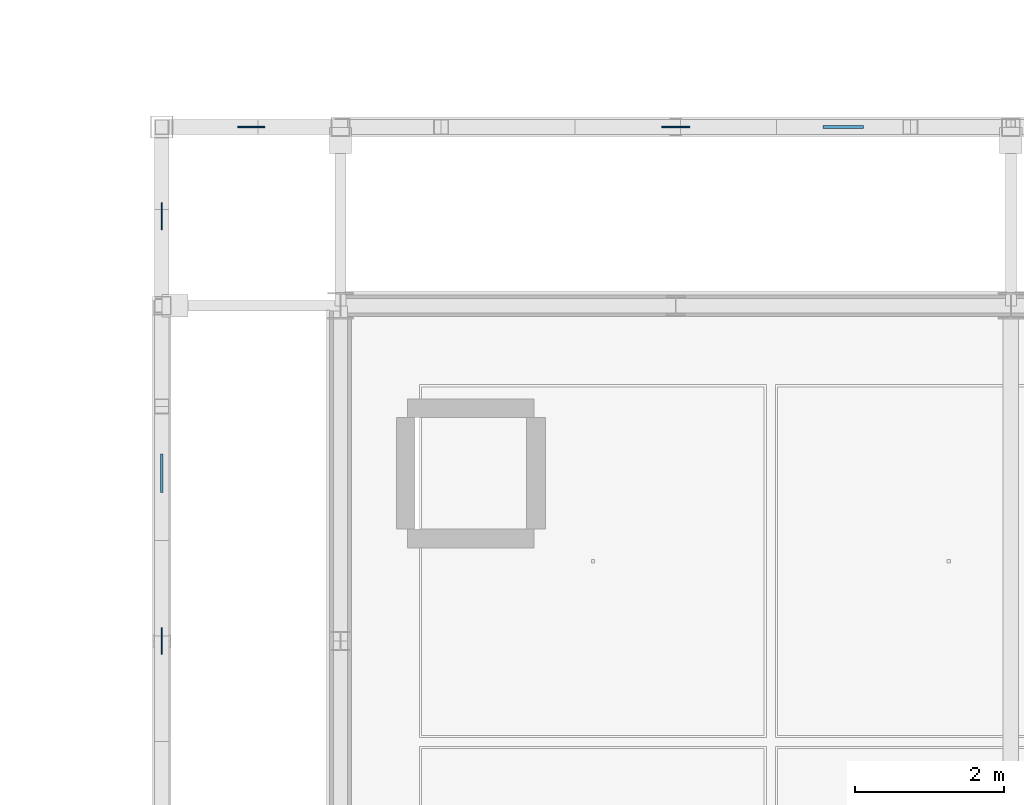
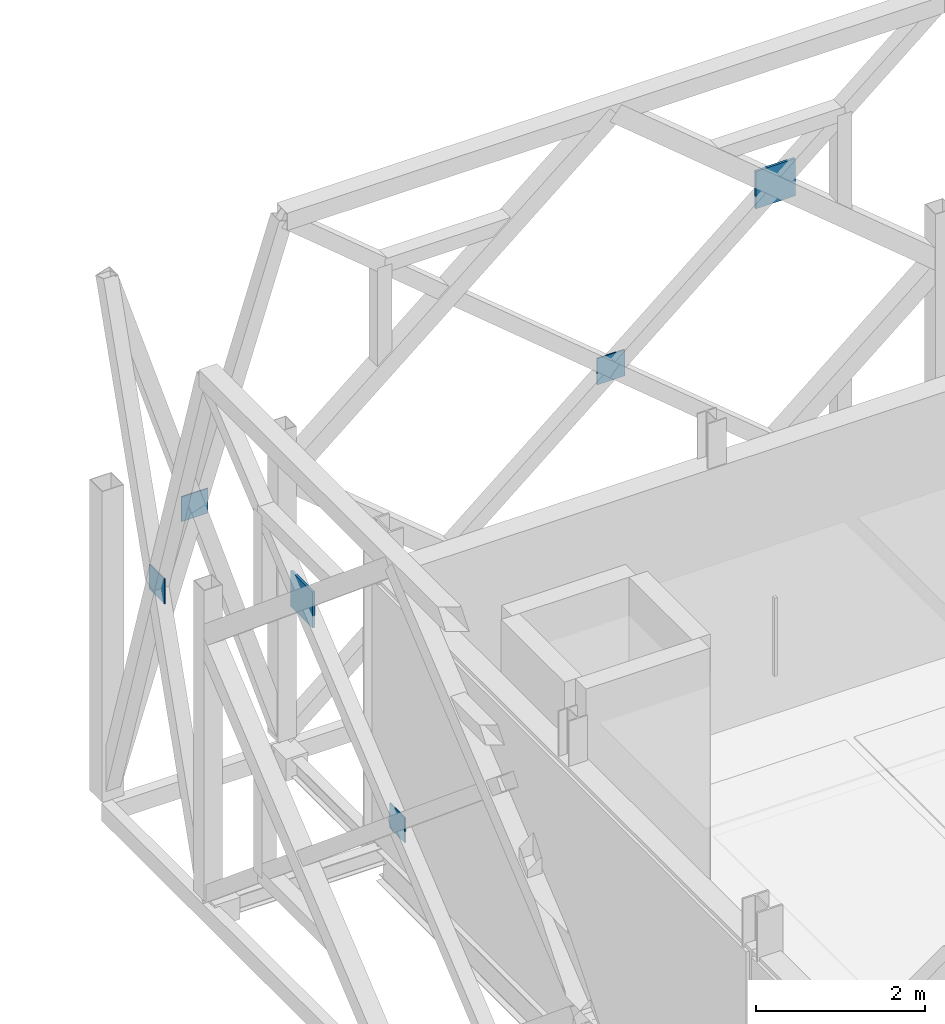
# One storey, part 37 of 66: 6 plates.
"""IFC4 building model written with IfcOpenShell, lengths in metres."""

from ifc_helpers import new_model, si_unit, direction, frame, origin, origin_2d, place, context, subcontext, project, spatial, rectangle, extrude, material, layer, layer_set, type_object, element, save


model = new_model("IFC4")

# Units and contexts
model_context = context("Model", 3, precision=1e-05, world=origin(), true_north=direction((0.0, 1.0)))
body_context = subcontext(model_context, "Body", "Model", "MODEL_VIEW")
ifc_project = project(units=[si_unit("LENGTHUNIT", "METRE"), si_unit("AREAUNIT", "SQUARE_METRE"), si_unit("VOLUMEUNIT", "CUBIC_METRE"), si_unit("PLANEANGLEUNIT", "RADIAN"), si_unit("MASSUNIT", "GRAM", prefix="KILO"), si_unit("THERMODYNAMICTEMPERATUREUNIT", "KELVIN"), si_unit("POWERUNIT", "WATT")], contexts=[model_context])

# Site, building, storey
site_placement = place(None, origin())
site = spatial("IfcSite", under=ifc_project, at=site_placement, CompositionType="ELEMENT")
building_placement = place(site_placement, origin())
building = spatial("IfcBuilding", under=site, at=building_placement, Name="Tallowbark Science Centre", CompositionType="ELEMENT")
storey_placement = place(building_placement, frame((0.0, 0.0, 18.89990234375)))
storey = spatial("IfcBuildingStorey", under=building, at=storey_placement, Name="L04", CompositionType="ELEMENT", Elevation=18.89990234375)

# Plates
ifc_material = material(Name="Structural Steel Grade 300PLUS (300 MPa)", Category="steel")
ifc_layer_1 = layer(ifc_material, 0.01611328125)
ifc_layer_set_1 = layer_set([ifc_layer_1], Name="Structural Steel Grade 300PLUS (300 MPa)")
plate_type_1 = type_object("IfcPlateType", Name="PLT-GUS-16", PredefinedType="SHEET", material=ifc_layer_set_1)
for number, where, z_axis, x_axis, name in (
    (1, (56.10009765625, 36.0, 3.56982421875), (0.0, 0.0, 1.0), (0.0, 1.0, 0.0), "Star X-Brace Crossing Gusset Plate W-52"),
    (2, (57.300048828125, 42.89990234375, 3.56982421875), (0.0, 0.0, 1.0), (1.0, 0.0, 0.0), "Star Screen Corner X-Brace Gusset NWX-L04"),
    (3, (56.10009765625, 41.699951171875, 3.56982421875), (0.0, 0.0, 1.0), (0.0, 1.0, 0.0), "Star Screen Corner X-Brace Gusset NWY-L04"),
):
    element("IfcPlate", number, at=place(storey_placement, frame(where, z_axis=z_axis, x_axis=x_axis)), inside=storey, type_object=plate_type_1, Name=name, PredefinedType="SHEET", context=body_context, shape_type="SweptSolid", body=[
        extrude(rectangle(XDim=0.360107421875, YDim=0.01611328125, at=origin_2d()), origin(), (0.0, 0.0, 1.0), 0.360107421875),
    ])
ifc_layer_2 = layer(ifc_material, 0.01806640625)
ifc_layer_set_2 = layer_set([ifc_layer_2], Name="Structural Steel Grade 300PLUS (300 MPa)")
plate_type_2 = type_object("IfcPlateType", Name="PLT-GUS-18", PredefinedType="SHEET", material=ifc_layer_set_2)
plate_1_placement = place(storey_placement, frame((63.0, 42.89990234375, 3.56005859375), z_axis=(0.0, 0.0, 1.0), x_axis=(1.0, 0.0, 0.0)))
element("IfcPlate", 4, at=plate_1_placement, inside=storey, type_object=plate_type_2, Name="Star X-Brace Crossing Gusset Plate N-37", PredefinedType="SHEET", context=body_context, shape_type="SweptSolid", body=[
    extrude(rectangle(XDim=0.3798828125, YDim=0.01806640625, at=origin_2d()), origin(), (0.0, 0.0, 1.0), 0.3798828125),
])
ifc_layer_3 = layer(ifc_material, 0.031982421875)
ifc_layer_set_3 = layer_set([ifc_layer_3], Name="Structural Steel Grade 300PLUS (300 MPa)")
plate_type_3 = type_object("IfcPlateType", Name="PLT-GUS-32", PredefinedType="SHEET", material=ifc_layer_set_3)
plate_2_placement = place(storey_placement, frame((56.10009765625, 38.25, 5.364990234375), z_axis=(0.0, 0.0, 1.0), x_axis=(0.0, 1.0, 0.0)))
element("IfcPlate", 5, at=plate_2_placement, inside=storey, type_object=plate_type_3, Name="Star Primary Chord Crossing Gusset Plate W-52", PredefinedType="SHEET", context=body_context, shape_type="SweptSolid", body=[
    extrude(rectangle(XDim=0.52001953125, YDim=0.031982421875, at=origin_2d()), origin(), (0.0, 0.0, 1.0), 0.52001953125),
])
ifc_layer_4 = layer(ifc_material, 0.033935546875)
ifc_layer_set_4 = layer_set([ifc_layer_4], Name="Structural Steel Grade 300PLUS (300 MPa)")
plate_type_4 = type_object("IfcPlateType", Name="PLT-GUS-34", PredefinedType="SHEET", material=ifc_layer_set_4)
plate_3_placement = place(storey_placement, frame((65.25, 42.89990234375, 5.35498046875), z_axis=(0.0, 0.0, 1.0), x_axis=(1.0, 0.0, 0.0)))
element("IfcPlate", 6, at=plate_3_placement, inside=storey, type_object=plate_type_4, Name="Star Primary Chord Crossing Gusset Plate N-37", PredefinedType="SHEET", context=body_context, shape_type="SweptSolid", body=[
    extrude(rectangle(XDim=0.5400390625, YDim=0.033935546875, at=origin_2d()), origin(), (0.0, 0.0, 1.0), 0.5400390625),
])

save(model, "model.ifc")
